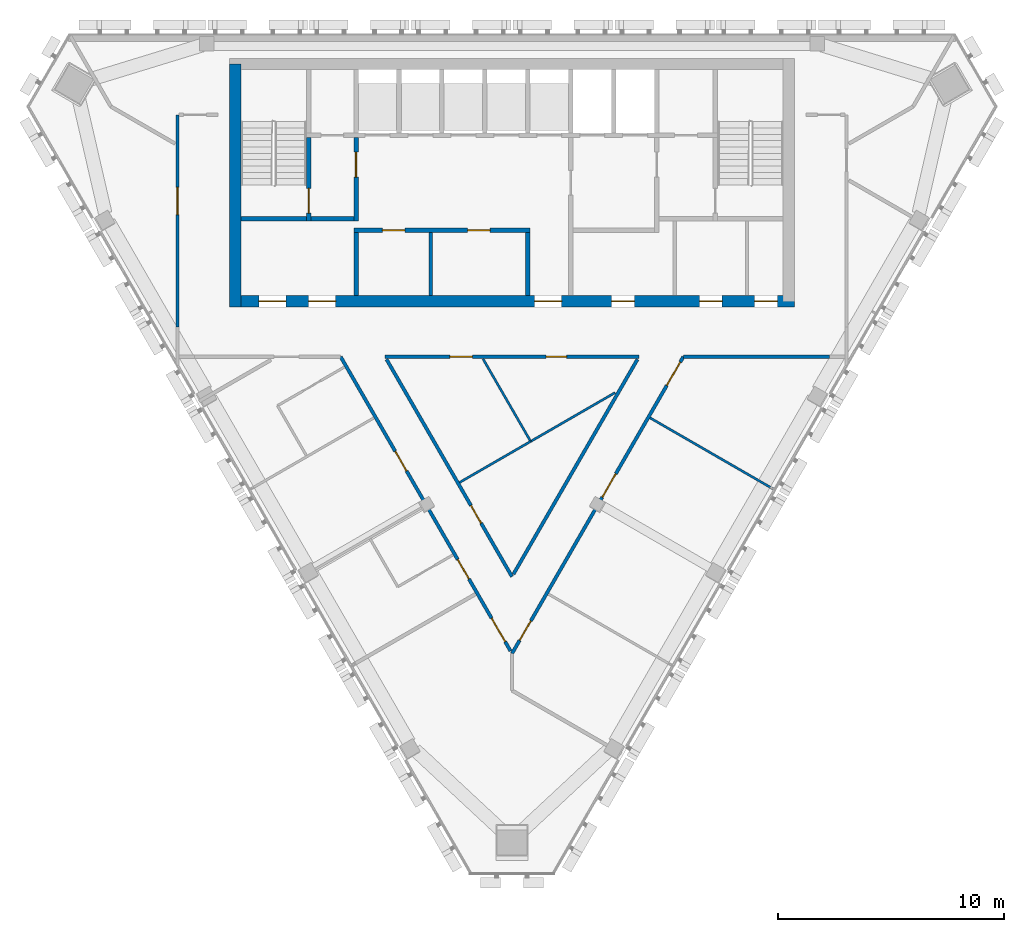
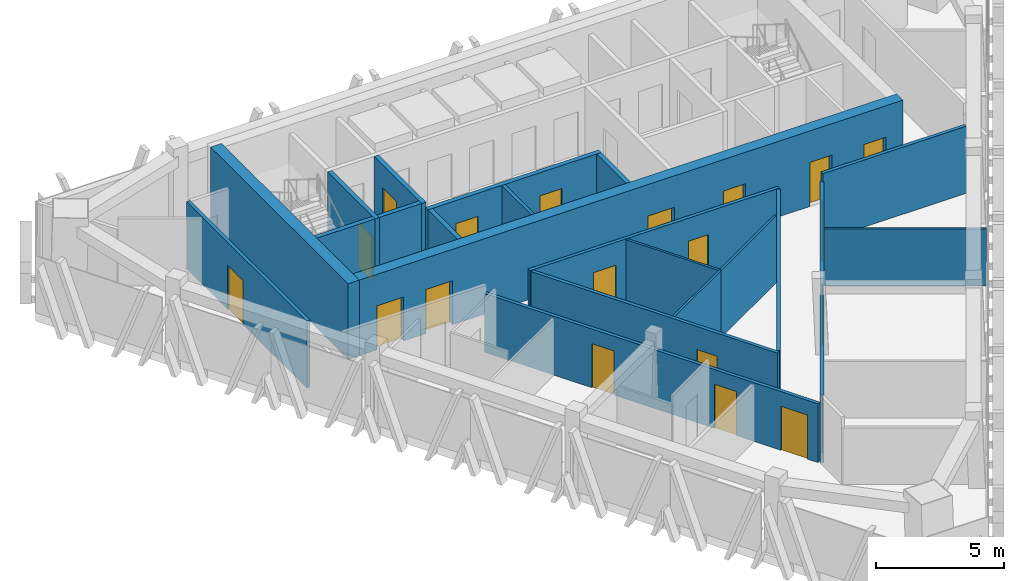
# One storey, part 6 of 10: 21 walls, 20 doors, 20 openings.
"""IFC4 building model written with IfcOpenShell, lengths in metres."""

from ifc_helpers import new_model, si_unit, direction, frame, frame_2d, origin, place, context, subcontext, project, spatial, rectangle, extrude, material, layer, layer_set, type_object, element, fill, save


model = new_model("IFC4")

# Units and contexts
model_context = context("Model", 3, precision=1e-05, world=origin(), true_north=direction((0.0, 1.0)))
body_context = subcontext(model_context, "Body", "Model", "MODEL_VIEW")
ifc_project = project(units=[si_unit("LENGTHUNIT", "METRE"), si_unit("AREAUNIT", "SQUARE_METRE"), si_unit("VOLUMEUNIT", "CUBIC_METRE"), si_unit("PLANEANGLEUNIT", "RADIAN"), si_unit("MASSUNIT", "GRAM", prefix="KILO")], contexts=[model_context])

# Site, building, storey
site_placement = place(None, origin())
site = spatial("IfcSite", under=ifc_project, at=site_placement, CompositionType="ELEMENT")
building_placement = place(site_placement, origin())
building = spatial("IfcBuilding", under=site, at=building_placement, Name="Altiplano Prism Tower", CompositionType="ELEMENT")
storey_placement = place(building_placement, frame((0.0, 0.0, 320.199951171875)))
storey = spatial("IfcBuildingStorey", under=building, at=storey_placement, Name="L83", CompositionType="ELEMENT", Elevation=320.199951171875)

# Wall, openings, doors
ifc_material_1 = material(Name="Concrete C60/75", Category="concrete")
ifc_layer_1 = layer(ifc_material_1, 0.5)
ifc_layer_set_1 = layer_set([ifc_layer_1], Name="Concrete C60/75")
wall_type_1 = type_object("IfcWallType", Name="Core wall 500", PredefinedType="SHEAR", material=ifc_layer_set_1)
wall_1_placement = place(storey_placement, frame((72.75, 93.14990234375, 0.0), z_axis=(0.0, 0.0, 1.0), x_axis=(1.0, 0.0, 0.0)))
wall_1 = element("IfcWall", 1, at=wall_1_placement, inside=storey, type_object=wall_type_1, Name="Core wall S L83", PredefinedType="SHEAR", context=body_context, shape_type="SweptSolid", body=[
    extrude(rectangle(XDim=24.75, YDim=0.5, at=frame_2d((12.375, 0.0))), origin(), (0.0, 0.0, 1.0), 3.60009765625),
])
opening_1_placement = place(wall_1_placement, frame((1.050048828125, 0.0, 0.0)))
opening_1 = element("IfcOpeningElement", 2, at=opening_1_placement, cuts=wall_1, Name="Opening D3758", PredefinedType="OPENING", context=body_context, shape_type="SweptSolid", body=[
    extrude(rectangle(XDim=1.199951171875, YDim=2.10009765625, at=frame_2d((0.60009765625, 1.050048828125))), frame((0.0, 0.260498046875, 0.0), z_axis=(0.0, -1.0, 0.0), x_axis=(1.0, 0.0, 0.0)), (0.0, 0.0, 1.0), 0.52099609375),
])
opening_2_placement = place(wall_1_placement, frame((3.25, 0.0, 0.0)))
opening_2 = element("IfcOpeningElement", 3, at=opening_2_placement, cuts=wall_1, Name="Opening D3759", PredefinedType="OPENING", context=body_context, shape_type="SweptSolid", body=[
    extrude(rectangle(XDim=1.199951171875, YDim=2.10009765625, at=frame_2d((0.60009765625, 1.050048828125))), frame((0.0, 0.260498046875, 0.0), z_axis=(0.0, -1.0, 0.0), x_axis=(1.0, 0.0, 0.0)), (0.0, 0.0, 1.0), 0.52099609375),
])
opening_3_placement = place(wall_1_placement, frame((13.25, 0.0, 0.0)))
opening_3 = element("IfcOpeningElement", 4, at=opening_3_placement, cuts=wall_1, Name="Opening D3760", PredefinedType="OPENING", context=body_context, shape_type="SweptSolid", body=[
    extrude(rectangle(XDim=1.199951171875, YDim=2.10009765625, at=frame_2d((0.60009765625, 1.050048828125))), frame((0.0, 0.260498046875, 0.0), z_axis=(0.0, -1.0, 0.0), x_axis=(1.0, 0.0, 0.0)), (0.0, 0.0, 1.0), 0.52099609375),
])
opening_4_placement = place(wall_1_placement, frame((16.66259765625, 0.0, 0.0)))
opening_4 = element("IfcOpeningElement", 5, at=opening_4_placement, cuts=wall_1, Name="Opening D3763", PredefinedType="OPENING", context=body_context, shape_type="SweptSolid", body=[
    extrude(rectangle(XDim=1.0, YDim=2.10009765625, at=frame_2d((0.5, 1.050048828125))), frame((0.0, 0.260498046875, 0.0), z_axis=(0.0, -1.0, 0.0), x_axis=(1.0, 0.0, 0.0)), (0.0, 0.0, 1.0), 0.52099609375),
])
opening_5_placement = place(wall_1_placement, frame((20.550048828125, 0.0, 0.0)))
opening_5 = element("IfcOpeningElement", 6, at=opening_5_placement, cuts=wall_1, Name="Opening D3764", PredefinedType="OPENING", context=body_context, shape_type="SweptSolid", body=[
    extrude(rectangle(XDim=1.0, YDim=2.10009765625, at=frame_2d((0.5, 1.050048828125))), frame((0.0, 0.260498046875, 0.0), z_axis=(0.0, -1.0, 0.0), x_axis=(1.0, 0.0, 0.0)), (0.0, 0.0, 1.0), 0.52099609375),
])
opening_6_placement = place(wall_1_placement, frame((22.987548828125, 0.0, 0.0)))
opening_6 = element("IfcOpeningElement", 7, at=opening_6_placement, cuts=wall_1, Name="Opening D3765", PredefinedType="OPENING", context=body_context, shape_type="SweptSolid", body=[
    extrude(rectangle(XDim=1.0, YDim=2.10009765625, at=frame_2d((0.5, 1.050048828125))), frame((0.0, 0.260498046875, 0.0), z_axis=(0.0, -1.0, 0.0), x_axis=(1.0, 0.0, 0.0)), (0.0, 0.0, 1.0), 0.52099609375),
])
ifc_material_2 = material(Name="Fire-rated steel door", Category="steel")
door_type_1 = type_object("IfcDoorType", Name="Core room door 1000 x 2100", OperationType="NOTDEFINED", PredefinedType="NOTDEFINED", material=ifc_material_2)
door_1_placement = place(opening_4_placement, origin())
door_1 = element("IfcDoor", 8, at=door_1_placement, inside=storey, type_object=door_type_1, Name="Core room door D3763", OperationType="SINGLE_SWING_RIGHT", OverallHeight=2.10009765625, OverallWidth=1.0, PredefinedType="NOTDEFINED", context=body_context, shape_type="SweptSolid", body=[
    extrude(rectangle(XDim=1.0, YDim=2.10009765625, at=frame_2d((0.5, 1.050048828125))), frame((0.0, 0.02490234375, 0.0), z_axis=(0.0, -1.0, 0.0), x_axis=(1.0, 0.0, 0.0)), (0.0, 0.0, 1.0), 0.050048828125),
])
fill(opening_4, door_1)
door_2_placement = place(opening_5_placement, origin())
door_2 = element("IfcDoor", 9, at=door_2_placement, inside=storey, type_object=door_type_1, Name="Core room door D3764", OperationType="SINGLE_SWING_LEFT", OverallHeight=2.10009765625, OverallWidth=1.0, PredefinedType="NOTDEFINED", context=body_context, shape_type="SweptSolid", body=[
    extrude(rectangle(XDim=1.0, YDim=2.10009765625, at=frame_2d((0.5, 1.050048828125))), frame((0.0, 0.02490234375, 0.0), z_axis=(0.0, -1.0, 0.0), x_axis=(1.0, 0.0, 0.0)), (0.0, 0.0, 1.0), 0.050048828125),
])
fill(opening_5, door_2)
door_3_placement = place(opening_6_placement, origin())
door_3 = element("IfcDoor", 10, at=door_3_placement, inside=storey, type_object=door_type_1, Name="Core room door D3765", OperationType="SINGLE_SWING_RIGHT", OverallHeight=2.10009765625, OverallWidth=1.0, PredefinedType="NOTDEFINED", context=body_context, shape_type="SweptSolid", body=[
    extrude(rectangle(XDim=1.0, YDim=2.10009765625, at=frame_2d((0.5, 1.050048828125))), frame((0.0, 0.02490234375, 0.0), z_axis=(0.0, -1.0, 0.0), x_axis=(1.0, 0.0, 0.0)), (0.0, 0.0, 1.0), 0.050048828125),
])
fill(opening_6, door_3)
door_type_2 = type_object("IfcDoorType", Name="Lobby fire door 1200 x 2100", OperationType="NOTDEFINED", PredefinedType="NOTDEFINED", material=ifc_material_2)
door_4_placement = place(opening_1_placement, origin())
door_4 = element("IfcDoor", 11, at=door_4_placement, inside=storey, type_object=door_type_2, Name="Lobby fire door D3758", OperationType="SINGLE_SWING_RIGHT", OverallHeight=2.10009765625, OverallWidth=1.199951171875, PredefinedType="NOTDEFINED", context=body_context, shape_type="SweptSolid", body=[
    extrude(rectangle(XDim=1.199951171875, YDim=2.10009765625, at=frame_2d((0.60009765625, 1.050048828125))), frame((0.0, 0.02490234375, 0.0), z_axis=(0.0, -1.0, 0.0), x_axis=(1.0, 0.0, 0.0)), (0.0, 0.0, 1.0), 0.050048828125),
])
fill(opening_1, door_4)
door_5_placement = place(opening_2_placement, origin())
door_5 = element("IfcDoor", 12, at=door_5_placement, inside=storey, type_object=door_type_2, Name="Lobby fire door D3759", OperationType="SINGLE_SWING_LEFT", OverallHeight=2.10009765625, OverallWidth=1.199951171875, PredefinedType="NOTDEFINED", context=body_context, shape_type="SweptSolid", body=[
    extrude(rectangle(XDim=1.199951171875, YDim=2.10009765625, at=frame_2d((0.60009765625, 1.050048828125))), frame((0.0, 0.02490234375, 0.0), z_axis=(0.0, -1.0, 0.0), x_axis=(1.0, 0.0, 0.0)), (0.0, 0.0, 1.0), 0.050048828125),
])
fill(opening_2, door_5)
door_6_placement = place(opening_3_placement, origin())
door_6 = element("IfcDoor", 13, at=door_6_placement, inside=storey, type_object=door_type_2, Name="Lobby fire door D3760", OperationType="SINGLE_SWING_RIGHT", OverallHeight=2.10009765625, OverallWidth=1.199951171875, PredefinedType="NOTDEFINED", context=body_context, shape_type="SweptSolid", body=[
    extrude(rectangle(XDim=1.199951171875, YDim=2.10009765625, at=frame_2d((0.60009765625, 1.050048828125))), frame((0.0, 0.02490234375, 0.0), z_axis=(0.0, -1.0, 0.0), x_axis=(1.0, 0.0, 0.0)), (0.0, 0.0, 1.0), 0.050048828125),
])
fill(opening_3, door_6)

# Walls
wall_2_placement = place(storey_placement, frame((72.75, 103.64990234375, 0.0), z_axis=(0.0, 0.0, 1.0), x_axis=(0.0, -1.0, 0.0)))
element("IfcWall", 14, at=wall_2_placement, inside=storey, type_object=wall_type_1, Name="Core wall W L83", PredefinedType="SHEAR", context=body_context, shape_type="SweptSolid", body=[
    extrude(rectangle(XDim=10.75, YDim=0.5, at=frame_2d((5.375, 0.0))), origin(), (0.0, 0.0, 1.0), 3.60009765625),
])
ifc_material_3 = material(Name="Plasterboard on steel stud", Category="steel")
ifc_layer_2 = layer(ifc_material_3, 0.10009765625)
ifc_layer_set_2 = layer_set([ifc_layer_2], Name="Plasterboard on steel stud")
wall_type_2 = type_object("IfcWallType", Name="Partition 100 wet", PredefinedType="PARTITIONING", material=ifc_layer_set_2)
wall_3_placement = place(storey_placement, frame((85.80810546875, 86.94384765625, 0.0), z_axis=(0.0, 0.0, 1.0), x_axis=(0.866031884678, 0.499988774596, 0.0)))
element("IfcWall", 15, at=wall_3_placement, inside=storey, type_object=wall_type_2, Name="Partition P03 L83 016", PredefinedType="PARTITIONING", context=body_context, shape_type="SweptSolid", body=[
    extrude(rectangle(XDim=4.337890625, YDim=0.10009765625, at=frame_2d((2.1689453125, 0.0))), origin(), (0.0, 0.0, 1.0), 3.199951171875),
])
wall_4_placement = place(storey_placement, frame((83.720947265625, 90.59912109375, 0.0), z_axis=(0.0, 0.0, 1.0), x_axis=(0.499981865284, -0.866035873614, 0.0)))
element("IfcWall", 16, at=wall_4_placement, inside=storey, type_object=wall_type_2, Name="Partition P03 L83 017", PredefinedType="PARTITIONING", context=body_context, shape_type="SweptSolid", body=[
    extrude(rectangle(XDim=4.209228515625, YDim=0.10009765625, at=frame_2d((2.1044921875, 0.0))), origin(), (0.0, 0.0, 1.0), 3.199951171875),
])
wall_5_placement = place(storey_placement, frame((85.825439453125, 86.953857421875, 0.0), z_axis=(0.0, 0.0, 1.0), x_axis=(-0.866025506186, -0.499999822635, 0.0)))
element("IfcWall", 17, at=wall_5_placement, inside=storey, type_object=wall_type_2, Name="Partition P03 L83 018", PredefinedType="PARTITIONING", context=body_context, shape_type="SweptSolid", body=[
    extrude(rectangle(XDim=3.6318359375, YDim=0.10009765625, at=frame_2d((1.81591796875, 0.0))), origin(), (0.0, 0.0, 1.0), 3.199951171875),
])
wall_6_placement = place(storey_placement, frame((96.602783203125, 84.82373046875, 0.0), z_axis=(0.0, 0.0, 1.0), x_axis=(-0.866025401434, 0.500000004071, 0.0)))
element("IfcWall", 18, at=wall_6_placement, inside=storey, type_object=wall_type_2, Name="Partition P03 L83 032", PredefinedType="PARTITIONING", context=body_context, shape_type="SweptSolid", body=[
    extrude(rectangle(XDim=6.34521484375, YDim=0.10009765625, at=frame_2d((3.172607421875, 0.0))), origin(), (0.0, 0.0, 1.0), 2.699951171875),
])

# Wall, openings, doors
ifc_layer_3 = layer(ifc_material_3, 0.14990234375)
ifc_layer_set_3 = layer_set([ifc_layer_3], Name="Plasterboard on steel stud")
wall_type_3 = type_object("IfcWallType", Name="Partition 150 corridor", PredefinedType="PARTITIONING", material=ifc_layer_set_3)
wall_7_placement = place(storey_placement, frame((79.3828125, 90.698974609375, 0.0), z_axis=(0.0, 0.0, 1.0), x_axis=(1.0, 0.0, 0.0)))
wall_7 = element("IfcWall", 19, at=wall_7_placement, inside=storey, type_object=wall_type_3, Name="Partition P06 L83 001", PredefinedType="PARTITIONING", context=body_context, shape_type="SweptSolid", body=[
    extrude(rectangle(XDim=11.234375, YDim=0.14990234375, at=frame_2d((5.6171875, 0.0))), origin(), (0.0, 0.0, 1.0), 3.199951171875),
])
opening_7_placement = place(wall_7_placement, frame((7.132080078125, 0.0, 0.0)))
opening_7 = element("IfcOpeningElement", 20, at=opening_7_placement, cuts=wall_7, Name="Opening D2424", PredefinedType="OPENING", context=body_context, shape_type="SweptSolid", body=[
    extrude(rectangle(XDim=0.89990234375, YDim=2.10009765625, at=frame_2d((0.449951171875, 1.050048828125))), frame((0.0, 0.08544921875, 0.0), z_axis=(0.0, -1.0, 0.0), x_axis=(1.0, 0.0, 0.0)), (0.0, 0.0, 1.0), 0.1708984375),
])
opening_8_placement = place(wall_7_placement, frame((2.864990234375, 0.0, 0.0)))
opening_8 = element("IfcOpeningElement", 21, at=opening_8_placement, cuts=wall_7, Name="Opening D2426", PredefinedType="OPENING", context=body_context, shape_type="SweptSolid", body=[
    extrude(rectangle(XDim=1.0, YDim=2.10009765625, at=frame_2d((0.5, 1.050048828125))), frame((0.0, 0.08544921875, 0.0), z_axis=(0.0, -1.0, 0.0), x_axis=(1.0, 0.0, 0.0)), (0.0, 0.0, 1.0), 0.1708984375),
])
ifc_material_4 = material(Name="Timber", Category="wood")
door_type_3 = type_object("IfcDoorType", Name="Store door 1000 x 2100", OperationType="NOTDEFINED", PredefinedType="NOTDEFINED", material=ifc_material_4)
door_7_placement = place(opening_8_placement, origin())
door_7 = element("IfcDoor", 22, at=door_7_placement, inside=storey, type_object=door_type_3, Name="Door D2426", OperationType="SINGLE_SWING_RIGHT", OverallHeight=2.10009765625, OverallWidth=1.0, PredefinedType="NOTDEFINED", context=body_context, shape_type="SweptSolid", body=[
    extrude(rectangle(XDim=1.0, YDim=2.10009765625, at=frame_2d((0.5, 1.050048828125))), frame((0.0, 0.02490234375, 0.0), z_axis=(0.0, -1.0, 0.0), x_axis=(1.0, 0.0, 0.0)), (0.0, 0.0, 1.0), 0.050048828125),
])
fill(opening_8, door_7)
door_type_4 = type_object("IfcDoorType", Name="Toilet door 900 x 2100", OperationType="NOTDEFINED", PredefinedType="NOTDEFINED", material=ifc_material_4)
door_8_placement = place(opening_7_placement, origin())
door_8 = element("IfcDoor", 23, at=door_8_placement, inside=storey, type_object=door_type_4, Name="Door D2424", OperationType="SINGLE_SWING_RIGHT", OverallHeight=2.10009765625, OverallWidth=0.89990234375, PredefinedType="NOTDEFINED", context=body_context, shape_type="SweptSolid", body=[
    extrude(rectangle(XDim=0.89990234375, YDim=2.10009765625, at=frame_2d((0.449951171875, 1.050048828125))), frame((0.0, 0.02490234375, 0.0), z_axis=(0.0, -1.0, 0.0), x_axis=(1.0, 0.0, 0.0)), (0.0, 0.0, 1.0), 0.050048828125),
])
fill(opening_7, door_8)

# Wall
wall_8_placement = place(storey_placement, frame((90.55224609375, 90.58642578125, 0.0), z_axis=(0.0, 0.0, 1.0), x_axis=(-0.499995895991, -0.866027773222, 0.0)))
element("IfcWall", 24, at=wall_8_placement, inside=storey, type_object=wall_type_3, Name="Partition P06 L83 002", PredefinedType="PARTITIONING", context=body_context, shape_type="SweptSolid", body=[
    extrude(rectangle(XDim=10.974609375, YDim=0.14990234375, at=frame_2d((5.4873046875, 0.0))), origin(), (0.0, 0.0, 1.0), 3.199951171875),
])

# Wall, opening, door
wall_9_placement = place(storey_placement, frame((85.0, 80.9697265625, 0.0), z_axis=(0.0, 0.0, 1.0), x_axis=(-0.50000285096, 0.866023757775, 0.0)))
wall_9 = element("IfcWall", 25, at=wall_9_placement, inside=storey, type_object=wall_type_3, Name="Partition P06 L83 003", PredefinedType="PARTITIONING", context=body_context, shape_type="SweptSolid", body=[
    extrude(rectangle(XDim=11.1044921875, YDim=0.14990234375, at=frame_2d((5.55224609375, 0.0))), origin(), (0.0, 0.0, 1.0), 3.199951171875),
])
opening_9_placement = place(wall_9_placement, frame((2.72998046875, 0.0, 0.0)))
opening_9 = element("IfcOpeningElement", 26, at=opening_9_placement, cuts=wall_9, Name="Opening D2425", PredefinedType="OPENING", context=body_context, shape_type="SweptSolid", body=[
    extrude(rectangle(XDim=0.89990234375, YDim=2.10009765625, at=frame_2d((0.449951171875, 1.050048828125))), frame((0.0, 0.08544921875, 0.0), z_axis=(0.0, -1.0, 0.0), x_axis=(1.0, 0.0, 0.0)), (0.0, 0.0, 1.0), 0.1708984375),
])
door_9_placement = place(opening_9_placement, origin())
door_9 = element("IfcDoor", 27, at=door_9_placement, inside=storey, type_object=door_type_4, Name="Door D2425", OperationType="SINGLE_SWING_RIGHT", OverallHeight=2.10009765625, OverallWidth=0.89990234375, PredefinedType="NOTDEFINED", context=body_context, shape_type="SweptSolid", body=[
    extrude(rectangle(XDim=0.89990234375, YDim=2.10009765625, at=frame_2d((0.449951171875, 1.050048828125))), frame((0.0, 0.02490234375, 0.0), z_axis=(0.0, -1.0, 0.0), x_axis=(1.0, 0.0, 0.0)), (0.0, 0.0, 1.0), 0.050048828125),
])
fill(opening_9, door_9)

wall_10_placement = place(storey_placement, frame((70.199462890625, 101.40087890625, 0.0), z_axis=(0.0, 0.0, 1.0), x_axis=(5.2046738e-05, -0.999999998646, 0.0)))
wall_10 = element("IfcWall", 28, at=wall_10_placement, inside=storey, type_object=wall_type_3, Name="Partition P06 L83 004", PredefinedType="PARTITIONING", context=body_context, shape_type="SweptSolid", body=[
    extrude(rectangle(XDim=9.381591796875, YDim=0.14990234375, at=frame_2d((4.69091796875, 0.0))), origin(), (0.0, 0.0, 1.0), 3.199951171875),
])
opening_10_placement = place(wall_10_placement, frame((3.2099609375, 0.0, 0.0)))
opening_10 = element("IfcOpeningElement", 29, at=opening_10_placement, cuts=wall_10, Name="Opening D2427", PredefinedType="OPENING", context=body_context, shape_type="SweptSolid", body=[
    extrude(rectangle(XDim=1.199951171875, YDim=2.10009765625, at=frame_2d((0.60009765625, 1.050048828125))), frame((0.0, 0.08544921875, 0.0), z_axis=(0.0, -1.0, 0.0), x_axis=(1.0, 0.0, 0.0)), (0.0, 0.0, 1.0), 0.1708984375),
])
door_type_5 = type_object("IfcDoorType", Name="Shared room door 1200 x 2100", OperationType="NOTDEFINED", PredefinedType="NOTDEFINED", material=ifc_material_4)
door_10_placement = place(opening_10_placement, origin())
door_10 = element("IfcDoor", 30, at=door_10_placement, inside=storey, type_object=door_type_5, Name="Door D2427", OperationType="SINGLE_SWING_RIGHT", OverallHeight=2.10009765625, OverallWidth=1.199951171875, PredefinedType="NOTDEFINED", context=body_context, shape_type="SweptSolid", body=[
    extrude(rectangle(XDim=1.199951171875, YDim=2.10009765625, at=frame_2d((0.60009765625, 1.050048828125))), frame((0.0, 0.02490234375, 0.0), z_axis=(0.0, -1.0, 0.0), x_axis=(1.0, 0.0, 0.0)), (0.0, 0.0, 1.0), 0.050048828125),
])
fill(opening_10, door_10)

# Wall, openings, doors
wall_11_placement = place(storey_placement, frame((77.41796875, 90.699951171875, 0.0), z_axis=(0.0, 0.0, 1.0), x_axis=(0.500005937389, -0.866021975804, 0.0)))
wall_11 = element("IfcWall", 31, at=wall_11_placement, inside=storey, type_object=wall_type_3, Name="Partition P06 L83 008", PredefinedType="PARTITIONING", context=body_context, shape_type="SweptSolid", body=[
    extrude(rectangle(XDim=15.033935546875, YDim=0.14990234375, at=frame_2d((7.51708984375, 0.0))), origin(), (0.0, 0.0, 1.0), 2.800048828125),
])
opening_11_placement = place(wall_11_placement, frame((4.8291015625, 0.0, 0.0)))
opening_11 = element("IfcOpeningElement", 32, at=opening_11_placement, cuts=wall_11, Name="Opening D2430", PredefinedType="OPENING", context=body_context, shape_type="SweptSolid", body=[
    extrude(rectangle(XDim=1.0, YDim=2.10009765625, at=frame_2d((0.5, 1.050048828125))), frame((0.0, 0.08544921875, 0.0), z_axis=(0.0, -1.0, 0.0), x_axis=(1.0, 0.0, 0.0)), (0.0, 0.0, 1.0), 0.1708984375),
])
opening_12_placement = place(wall_11_placement, frame((10.35791015625, 0.0, 0.0)))
opening_12 = element("IfcOpeningElement", 33, at=opening_12_placement, cuts=wall_11, Name="Opening D2431", PredefinedType="OPENING", context=body_context, shape_type="SweptSolid", body=[
    extrude(rectangle(XDim=1.0, YDim=2.10009765625, at=frame_2d((0.5, 1.050048828125))), frame((0.0, 0.08544921875, 0.0), z_axis=(0.0, -1.0, 0.0), x_axis=(1.0, 0.0, 0.0)), (0.0, 0.0, 1.0), 0.1708984375),
])
opening_13_placement = place(wall_11_placement, frame((13.35205078125, 0.0, 0.0)))
opening_13 = element("IfcOpeningElement", 34, at=opening_13_placement, cuts=wall_11, Name="Opening D2433", PredefinedType="OPENING", context=body_context, shape_type="SweptSolid", body=[
    extrude(rectangle(XDim=1.199951171875, YDim=2.10009765625, at=frame_2d((0.60009765625, 1.050048828125))), frame((0.0, 0.08544921875, 0.0), z_axis=(0.0, -1.0, 0.0), x_axis=(1.0, 0.0, 0.0)), (0.0, 0.0, 1.0), 0.1708984375),
])
door_type_6 = type_object("IfcDoorType", Name="Bedroom entrance door 1000 x 2100", OperationType="NOTDEFINED", PredefinedType="NOTDEFINED", material=ifc_material_4)
door_11_placement = place(opening_12_placement, origin())
door_11 = element("IfcDoor", 35, at=door_11_placement, inside=storey, type_object=door_type_6, Name="Door D2431", OperationType="SINGLE_SWING_RIGHT", OverallHeight=2.10009765625, OverallWidth=1.0, PredefinedType="NOTDEFINED", context=body_context, shape_type="SweptSolid", body=[
    extrude(rectangle(XDim=1.0, YDim=2.10009765625, at=frame_2d((0.5, 1.050048828125))), frame((0.0, 0.02490234375, 0.0), z_axis=(0.0, -1.0, 0.0), x_axis=(1.0, 0.0, 0.0)), (0.0, 0.0, 1.0), 0.050048828125),
])
fill(opening_12, door_11)
door_type_7 = type_object("IfcDoorType", Name="Room door 1000 x 2100", OperationType="NOTDEFINED", PredefinedType="NOTDEFINED", material=ifc_material_4)
door_12_placement = place(opening_11_placement, origin())
door_12 = element("IfcDoor", 36, at=door_12_placement, inside=storey, type_object=door_type_7, Name="Door D2430", OperationType="SINGLE_SWING_RIGHT", OverallHeight=2.10009765625, OverallWidth=1.0, PredefinedType="NOTDEFINED", context=body_context, shape_type="SweptSolid", body=[
    extrude(rectangle(XDim=1.0, YDim=2.10009765625, at=frame_2d((0.5, 1.050048828125))), frame((0.0, 0.02490234375, 0.0), z_axis=(0.0, -1.0, 0.0), x_axis=(1.0, 0.0, 0.0)), (0.0, 0.0, 1.0), 0.050048828125),
])
fill(opening_11, door_12)
door_13_placement = place(opening_13_placement, origin())
door_13 = element("IfcDoor", 37, at=door_13_placement, inside=storey, type_object=door_type_5, Name="Door D2433", OperationType="SINGLE_SWING_RIGHT", OverallHeight=2.10009765625, OverallWidth=1.199951171875, PredefinedType="NOTDEFINED", context=body_context, shape_type="SweptSolid", body=[
    extrude(rectangle(XDim=1.199951171875, YDim=2.10009765625, at=frame_2d((0.60009765625, 1.050048828125))), frame((0.0, 0.02490234375, 0.0), z_axis=(0.0, -1.0, 0.0), x_axis=(1.0, 0.0, 0.0)), (0.0, 0.0, 1.0), 0.050048828125),
])
fill(opening_13, door_13)

wall_12_placement = place(storey_placement, frame((85.0, 77.567626953125, 0.0), z_axis=(0.0, 0.0, 1.0), x_axis=(0.500003972934, 0.866023109998, 0.0)))
wall_12 = element("IfcWall", 38, at=wall_12_placement, inside=storey, type_object=wall_type_3, Name="Partition P06 L83 009", PredefinedType="PARTITIONING", context=body_context, shape_type="SweptSolid", body=[
    extrude(rectangle(XDim=15.1640625, YDim=0.14990234375, at=frame_2d((7.58203125, 0.0))), origin(), (0.0, 0.0, 1.0), 2.800048828125),
])
opening_14_placement = place(wall_12_placement, frame((0.6708984375, 0.0, 0.0)))
opening_14 = element("IfcOpeningElement", 39, at=opening_14_placement, cuts=wall_12, Name="Opening D2434", PredefinedType="OPENING", context=body_context, shape_type="SweptSolid", body=[
    extrude(rectangle(XDim=1.0, YDim=2.10009765625, at=frame_2d((0.5, 1.050048828125))), frame((0.0, 0.08544921875, 0.0), z_axis=(0.0, -1.0, 0.0), x_axis=(1.0, 0.0, 0.0)), (0.0, 0.0, 1.0), 0.1708984375),
])
opening_15_placement = place(wall_12_placement, frame((7.985107421875, 0.0, 0.0)))
opening_15 = element("IfcOpeningElement", 40, at=opening_15_placement, cuts=wall_12, Name="Opening D2435", PredefinedType="OPENING", context=body_context, shape_type="SweptSolid", body=[
    extrude(rectangle(XDim=1.199951171875, YDim=2.10009765625, at=frame_2d((0.60009765625, 1.050048828125))), frame((0.0, 0.08544921875, 0.0), z_axis=(0.0, -1.0, 0.0), x_axis=(1.0, 0.0, 0.0)), (0.0, 0.0, 1.0), 0.1708984375),
])
opening_16_placement = place(wall_12_placement, frame((13.695068359375, 0.0, 0.0)))
opening_16 = element("IfcOpeningElement", 41, at=opening_16_placement, cuts=wall_12, Name="Opening D2436", PredefinedType="OPENING", context=body_context, shape_type="SweptSolid", body=[
    extrude(rectangle(XDim=1.199951171875, YDim=2.10009765625, at=frame_2d((0.60009765625, 1.050048828125))), frame((0.0, 0.08544921875, 0.0), z_axis=(0.0, -1.0, 0.0), x_axis=(1.0, 0.0, 0.0)), (0.0, 0.0, 1.0), 0.1708984375),
])
door_14_placement = place(opening_14_placement, origin())
door_14 = element("IfcDoor", 42, at=door_14_placement, inside=storey, type_object=door_type_7, Name="Door D2434", OperationType="SINGLE_SWING_LEFT", OverallHeight=2.10009765625, OverallWidth=1.0, PredefinedType="NOTDEFINED", context=body_context, shape_type="SweptSolid", body=[
    extrude(rectangle(XDim=1.0, YDim=2.10009765625, at=frame_2d((0.5, 1.050048828125))), frame((0.0, 0.02490234375, 0.0), z_axis=(0.0, -1.0, 0.0), x_axis=(1.0, 0.0, 0.0)), (0.0, 0.0, 1.0), 0.050048828125),
])
fill(opening_14, door_14)
door_15_placement = place(opening_15_placement, origin())
door_15 = element("IfcDoor", 43, at=door_15_placement, inside=storey, type_object=door_type_5, Name="Door D2435", OperationType="SINGLE_SWING_RIGHT", OverallHeight=2.10009765625, OverallWidth=1.199951171875, PredefinedType="NOTDEFINED", context=body_context, shape_type="SweptSolid", body=[
    extrude(rectangle(XDim=1.199951171875, YDim=2.10009765625, at=frame_2d((0.60009765625, 1.050048828125))), frame((0.0, 0.02490234375, 0.0), z_axis=(0.0, -1.0, 0.0), x_axis=(1.0, 0.0, 0.0)), (0.0, 0.0, 1.0), 0.050048828125),
])
fill(opening_15, door_15)
door_16_placement = place(opening_16_placement, origin())
door_16 = element("IfcDoor", 44, at=door_16_placement, inside=storey, type_object=door_type_5, Name="Door D2436", OperationType="SINGLE_SWING_RIGHT", OverallHeight=2.10009765625, OverallWidth=1.199951171875, PredefinedType="NOTDEFINED", context=body_context, shape_type="SweptSolid", body=[
    extrude(rectangle(XDim=1.199951171875, YDim=2.10009765625, at=frame_2d((0.60009765625, 1.050048828125))), frame((0.0, 0.02490234375, 0.0), z_axis=(0.0, -1.0, 0.0), x_axis=(1.0, 0.0, 0.0)), (0.0, 0.0, 1.0), 0.050048828125),
])
fill(opening_16, door_16)

# Walls
wall_13_placement = place(storey_placement, frame((92.58203125, 90.699951171875, 0.0), z_axis=(0.0, 0.0, 1.0), x_axis=(1.0, 0.0, 0.0)))
element("IfcWall", 45, at=wall_13_placement, inside=storey, type_object=wall_type_3, Name="Partition P06 L83 010", PredefinedType="PARTITIONING", context=body_context, shape_type="SweptSolid", body=[
    extrude(rectangle(XDim=6.456298828125, YDim=0.14990234375, at=frame_2d((3.22802734375, 0.0))), origin(), (0.0, 0.0, 1.0), 3.199951171875),
])
ifc_material_5 = material(Name="Fire-rated gypsum board partition")
ifc_layer_4 = layer(ifc_material_5, 0.14990234375)
ifc_layer_set_4 = layer_set([ifc_layer_4], Name="Fire-rated gypsum board partition")
wall_type_4 = type_object("IfcWallType", Name="Room partition 150", PredefinedType="PARTITIONING", material=ifc_layer_set_4)
wall_14_placement = place(storey_placement, frame((81.39990234375, 93.39990234375, 0.0), z_axis=(0.0, 0.0, 1.0), x_axis=(0.0, 1.0, 0.0)))
element("IfcWall", 46, at=wall_14_placement, inside=storey, type_object=wall_type_4, Name="Room partition L83", PredefinedType="PARTITIONING", context=body_context, shape_type="SweptSolid", body=[
    extrude(rectangle(XDim=2.800048828125, YDim=0.14990234375, at=frame_2d((1.39990234375, 0.0))), origin(), (0.0, 0.0, 1.0), 3.199951171875),
])
ifc_layer_5 = layer(ifc_material_1, 0.199951171875)
ifc_layer_set_5 = layer_set([ifc_layer_5], Name="Concrete C60/75")
wall_type_5 = type_object("IfcWallType", Name="Stair wall 200", PredefinedType="SOLIDWALL", material=ifc_layer_set_5)
wall_15_placement = place(storey_placement, frame((73.0, 96.800048828125, 0.0), z_axis=(0.0, 0.0, 1.0), x_axis=(1.0, 0.0, 0.0)))
element("IfcWall", 47, at=wall_15_placement, inside=storey, type_object=wall_type_5, Name="Stair wall L83", PredefinedType="SOLIDWALL", context=body_context, shape_type="SweptSolid", body=[
    extrude(rectangle(XDim=2.89990234375, YDim=0.199951171875, at=frame_2d((1.449951171875, 0.0))), origin(), (0.0, 0.0, 1.0), 3.199951171875),
])

# Wall, opening, door
wall_16_placement = place(storey_placement, frame((76.0, 96.699951171875, 0.0), z_axis=(0.0, 0.0, 1.0), x_axis=(0.0, 1.0, 0.0)))
wall_16 = element("IfcWall", 48, at=wall_16_placement, inside=storey, type_object=wall_type_5, Name="Stair wall L83", PredefinedType="SOLIDWALL", context=body_context, shape_type="SweptSolid", body=[
    extrude(rectangle(XDim=3.699951171875, YDim=0.199951171875, at=frame_2d((1.85009765625, 0.0))), origin(), (0.0, 0.0, 1.0), 3.199951171875),
])
opening_17_placement = place(wall_16_placement, frame((0.35009765625, 0.0, 0.0)))
opening_17 = element("IfcOpeningElement", 49, at=opening_17_placement, cuts=wall_16, Name="Opening D3753", PredefinedType="OPENING", context=body_context, shape_type="SweptSolid", body=[
    extrude(rectangle(XDim=1.10009765625, YDim=2.10009765625, at=frame_2d((0.550048828125, 1.050048828125))), frame((0.0, 0.1103515625, 0.0), z_axis=(0.0, -1.0, 0.0), x_axis=(1.0, 0.0, 0.0)), (0.0, 0.0, 1.0), 0.220947265625),
])
door_type_8 = type_object("IfcDoorType", Name="Stair fire door 1100 x 2100", OperationType="NOTDEFINED", PredefinedType="NOTDEFINED", material=ifc_material_2)
door_17_placement = place(opening_17_placement, origin())
door_17 = element("IfcDoor", 50, at=door_17_placement, inside=storey, type_object=door_type_8, Name="Stair fire door D3753", OperationType="SINGLE_SWING_RIGHT", OverallHeight=2.10009765625, OverallWidth=1.10009765625, PredefinedType="NOTDEFINED", context=body_context, shape_type="SweptSolid", body=[
    extrude(rectangle(XDim=1.10009765625, YDim=2.10009765625, at=frame_2d((0.550048828125, 1.050048828125))), frame((0.0, 0.02490234375, 0.0), z_axis=(0.0, -1.0, 0.0), x_axis=(1.0, 0.0, 0.0)), (0.0, 0.0, 1.0), 0.050048828125),
])
fill(opening_17, door_17)

# Walls
ifc_layer_6 = layer(ifc_material_1, 0.199951171875)
ifc_layer_set_6 = layer_set([ifc_layer_6], Name="Concrete C60/75")
wall_type_6 = type_object("IfcWallType", Name="Vestibule wall 200", PredefinedType="PARTITIONING", material=ifc_layer_set_6)
for number, where, z_axis, x_axis, name in (
    (51, (78.10009765625, 93.39990234375, 0.0), (0.0, 0.0, 1.0), (0.0, 1.0, 0.0), "Vestibule wall L83"),
    (52, (85.699951171875, 93.39990234375, 0.0), (0.0, 0.0, 1.0), (0.0, 1.0, 0.0), "Vestibule wall L83"),
):
    element("IfcWall", number, at=place(storey_placement, frame(where, z_axis=z_axis, x_axis=x_axis)), inside=storey, type_object=wall_type_6, Name=name, PredefinedType="PARTITIONING", context=body_context, shape_type="SweptSolid", body=[
        extrude(rectangle(XDim=2.800048828125, YDim=0.199951171875, at=frame_2d((1.39990234375, 0.0))), origin(), (0.0, 0.0, 1.0), 3.199951171875),
    ])

# Wall, openings, doors
wall_17_placement = place(storey_placement, frame((78.0, 96.300048828125, 0.0), z_axis=(0.0, 0.0, 1.0), x_axis=(1.0, 0.0, 0.0)))
wall_17 = element("IfcWall", 53, at=wall_17_placement, inside=storey, type_object=wall_type_6, Name="Vestibule wall L83", PredefinedType="PARTITIONING", context=body_context, shape_type="SweptSolid", body=[
    extrude(rectangle(XDim=7.800048828125, YDim=0.199951171875, at=frame_2d((3.89990234375, 0.0))), origin(), (0.0, 0.0, 1.0), 3.199951171875),
])
opening_18_placement = place(wall_17_placement, frame((1.262451171875, 0.0, 0.0)))
opening_18 = element("IfcOpeningElement", 54, at=opening_18_placement, cuts=wall_17, Name="Opening D3766", PredefinedType="OPENING", context=body_context, shape_type="SweptSolid", body=[
    extrude(rectangle(XDim=1.0, YDim=2.10009765625, at=frame_2d((0.5, 1.050048828125))), frame((0.0, 0.1103515625, 0.0), z_axis=(0.0, -1.0, 0.0), x_axis=(1.0, 0.0, 0.0)), (0.0, 0.0, 1.0), 0.220947265625),
])
opening_19_placement = place(wall_17_placement, frame((5.03759765625, 0.0, 0.0)))
opening_19 = element("IfcOpeningElement", 55, at=opening_19_placement, cuts=wall_17, Name="Opening D3767", PredefinedType="OPENING", context=body_context, shape_type="SweptSolid", body=[
    extrude(rectangle(XDim=1.0, YDim=2.10009765625, at=frame_2d((0.5, 1.050048828125))), frame((0.0, 0.1103515625, 0.0), z_axis=(0.0, -1.0, 0.0), x_axis=(1.0, 0.0, 0.0)), (0.0, 0.0, 1.0), 0.220947265625),
])
door_18_placement = place(opening_18_placement, origin())
door_18 = element("IfcDoor", 56, at=door_18_placement, inside=storey, type_object=door_type_1, Name="Core room door D3766", OperationType="SINGLE_SWING_RIGHT", OverallHeight=2.10009765625, OverallWidth=1.0, PredefinedType="NOTDEFINED", context=body_context, shape_type="SweptSolid", body=[
    extrude(rectangle(XDim=1.0, YDim=2.10009765625, at=frame_2d((0.5, 1.050048828125))), frame((0.0, 0.02490234375, 0.0), z_axis=(0.0, -1.0, 0.0), x_axis=(1.0, 0.0, 0.0)), (0.0, 0.0, 1.0), 0.050048828125),
])
fill(opening_18, door_18)
door_19_placement = place(opening_19_placement, origin())
door_19 = element("IfcDoor", 57, at=door_19_placement, inside=storey, type_object=door_type_1, Name="Core room door D3767", OperationType="SINGLE_SWING_RIGHT", OverallHeight=2.10009765625, OverallWidth=1.0, PredefinedType="NOTDEFINED", context=body_context, shape_type="SweptSolid", body=[
    extrude(rectangle(XDim=1.0, YDim=2.10009765625, at=frame_2d((0.5, 1.050048828125))), frame((0.0, 0.02490234375, 0.0), z_axis=(0.0, -1.0, 0.0), x_axis=(1.0, 0.0, 0.0)), (0.0, 0.0, 1.0), 0.050048828125),
])
fill(opening_19, door_19)

# Wall
wall_18_placement = place(storey_placement, frame((76.10009765625, 96.800048828125, 0.0), z_axis=(0.0, 0.0, 1.0), x_axis=(1.0, 0.0, 0.0)))
element("IfcWall", 58, at=wall_18_placement, inside=storey, type_object=wall_type_6, Name="Vestibule wall L83", PredefinedType="PARTITIONING", context=body_context, shape_type="SweptSolid", body=[
    extrude(rectangle(XDim=1.89990234375, YDim=0.199951171875, at=frame_2d((0.949951171875, 0.0))), origin(), (0.0, 0.0, 1.0), 3.199951171875),
])

# Wall, opening, door
wall_19_placement = place(storey_placement, frame((78.10009765625, 96.699951171875, 0.0), z_axis=(0.0, 0.0, 1.0), x_axis=(0.0, 1.0, 0.0)))
wall_19 = element("IfcWall", 59, at=wall_19_placement, inside=storey, type_object=wall_type_6, Name="Vestibule wall L83", PredefinedType="PARTITIONING", context=body_context, shape_type="SweptSolid", body=[
    extrude(rectangle(XDim=3.699951171875, YDim=0.199951171875, at=frame_2d((1.85009765625, 0.0))), origin(), (0.0, 0.0, 1.0), 3.199951171875),
])
opening_20_placement = place(wall_19_placement, frame((1.949951171875, 0.0, 0.0)))
opening_20 = element("IfcOpeningElement", 60, at=opening_20_placement, cuts=wall_19, Name="Opening D3755", PredefinedType="OPENING", context=body_context, shape_type="SweptSolid", body=[
    extrude(rectangle(XDim=1.10009765625, YDim=2.10009765625, at=frame_2d((0.550048828125, 1.050048828125))), frame((0.0, 0.1103515625, 0.0), z_axis=(0.0, -1.0, 0.0), x_axis=(1.0, 0.0, 0.0)), (0.0, 0.0, 1.0), 0.220947265625),
])
door_type_9 = type_object("IfcDoorType", Name="Vestibule fire door 1100 x 2100", OperationType="NOTDEFINED", PredefinedType="NOTDEFINED", material=ifc_material_2)
door_20_placement = place(opening_20_placement, origin())
door_20 = element("IfcDoor", 61, at=door_20_placement, inside=storey, type_object=door_type_9, Name="Vestibule fire door D3755", OperationType="SINGLE_SWING_LEFT", OverallHeight=2.10009765625, OverallWidth=1.10009765625, PredefinedType="NOTDEFINED", context=body_context, shape_type="SweptSolid", body=[
    extrude(rectangle(XDim=1.10009765625, YDim=2.10009765625, at=frame_2d((0.550048828125, 1.050048828125))), frame((0.0, 0.02490234375, 0.0), z_axis=(0.0, -1.0, 0.0), x_axis=(1.0, 0.0, 0.0)), (0.0, 0.0, 1.0), 0.050048828125),
])
fill(opening_20, door_20)

save(model, "model.ifc")
